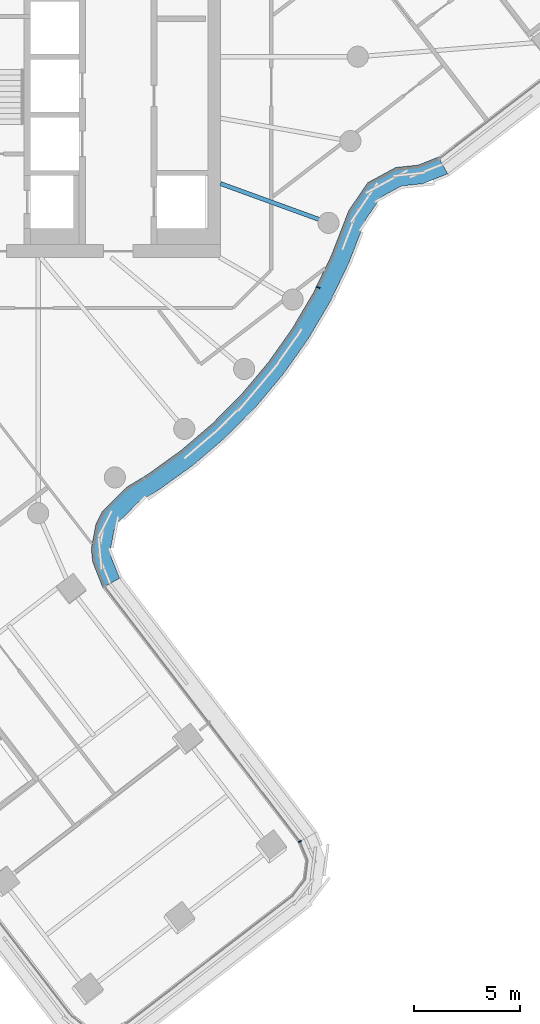
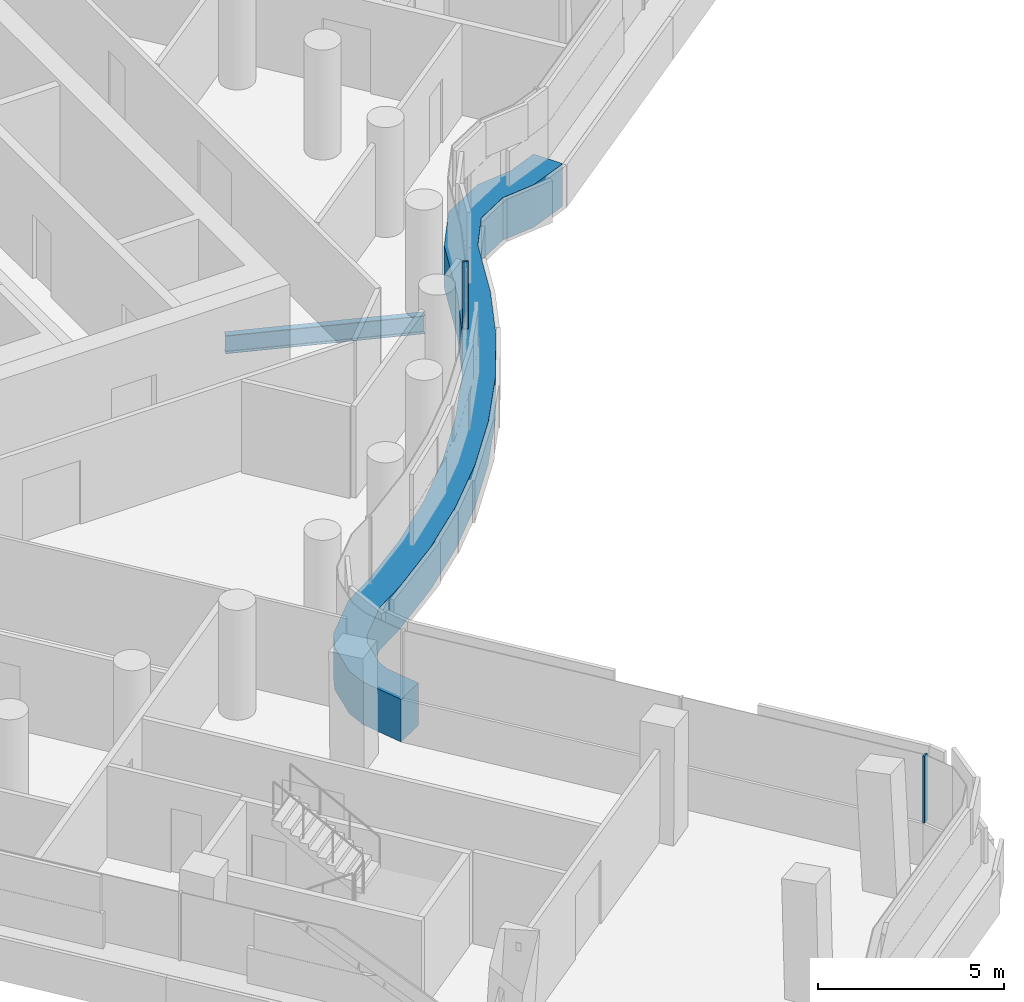
# One storey, part 11 of 33: 3 members, 1 beam, 2 elements without a shape of their own.
"""IFC4 building model written with IfcOpenShell, lengths in metres."""

from ifc_helpers import new_model, si_unit, direction, frame, origin, origin_2d, place, context, subcontext, project, spatial, polyline, rectangle, i_section, outline, extrude, material, layer, layer_set, material_profile, profile_set, type_object, element, aggregate, save


model = new_model("IFC4")

# Units and contexts
model_context = context("Model", 3, precision=1e-05, world=origin(), true_north=direction((0.0, 1.0)))
body_context = subcontext(model_context, "Body", "Model", "MODEL_VIEW")
ifc_project = project(units=[si_unit("LENGTHUNIT", "METRE"), si_unit("AREAUNIT", "SQUARE_METRE"), si_unit("VOLUMEUNIT", "CUBIC_METRE"), si_unit("PLANEANGLEUNIT", "RADIAN"), si_unit("MASSUNIT", "GRAM", prefix="KILO")], contexts=[model_context])

# Site, building, storey
site_placement = place(None, origin())
site = spatial("IfcSite", under=ifc_project, at=site_placement, CompositionType="ELEMENT")
building_placement = place(site_placement, origin())
building = spatial("IfcBuilding", under=site, at=building_placement, Name="Tamarind Cross Interchange Tower", CompositionType="ELEMENT")
storey_placement = place(building_placement, frame((0.0, 0.0, 170.5)))
storey = spatial("IfcBuildingStorey", under=building, at=storey_placement, Name="L42", CompositionType="ELEMENT", Elevation=170.5)

# Beam
ifc_material_1 = material(Name="Steel Q355B", Category="steel")
ifc_material_profile_1 = material_profile(ifc_material_1, i_section(OverallWidth=0.198974609375, OverallDepth=0.595947265625, WebThickness=0.010009765625, FlangeThickness=0.014892578125, FilletRadius=0.012939453125, at=origin_2d()), Name="HN 596x199x10x15")
ifc_profile_set_1 = profile_set([ifc_material_profile_1], Name="Steel Q355B")
beam_type = type_object("IfcBeamType", Name="Composite beam HN 596x199x10x15 Q355B", PredefinedType="BEAM", material=ifc_profile_set_1)
beam_placement = place(storey_placement, frame((21.613037109375, -7.866455078125, -0.43798828125), z_axis=(-0.939701685589, 0.341995236956, 0.0), x_axis=(-0.341995236956, -0.939701685589, 0.0)))
element("IfcBeam", 1, at=beam_placement, inside=storey, type_object=beam_type, Name="Beam HH34", PredefinedType="BEAM", context=body_context, shape_type="SweptSolid", body=[
    extrude(i_section(OverallWidth=0.198974609375, OverallDepth=0.595947265625, WebThickness=0.010009765625, FlangeThickness=0.014892578125, FilletRadius=0.012939453125, at=origin_2d()), origin(), (0.0, 0.0, 1.0), 5.441162109375),
])

# Curtain wall, member
ifc_material_2 = material(Name="Aluminium 6063-T6", Category="aluminium")
ifc_layer = layer(ifc_material_2, 0.159912109375)
ifc_layer_set = layer_set([ifc_layer], Name="Aluminium 6063-T6")
curtain_wall_type = type_object("IfcCurtainWallType", Name="Office curtain wall, 9.0 m bays", PredefinedType="NOTDEFINED", material=ifc_layer_set)
curtain_wall_1_placement = place(storey_placement, origin())
curtain_wall_1 = element("IfcCurtainWall", 2, at=curtain_wall_1_placement, inside=storey, type_object=curtain_wall_type, Name="CWS-L42-14", PredefinedType="NOTDEFINED")
ifc_material_3 = material(Name="Aluminium and insulated spandrel panel", Category="aluminium")
member_type_1 = type_object("IfcMemberType", Name="Floor-edge blade transom", PredefinedType="USERDEFINED", material=ifc_material_3)
member_1_placement = place(storey_placement, origin())
member_1 = element("IfcMember", 3, at=member_1_placement, type_object=member_type_1, Name="CWT-L42-14", ObjectType="TRANSOM", PredefinedType="USERDEFINED", context=body_context, shape_type="SweptSolid", body=[
    extrude(outline(polyline([(10.9267578125, -25.139892578125), (10.440673828125, -23.904296875), (10.382080078125, -23.27734375), (10.604248046875, -22.112548828125), (10.891357421875, -21.547607421875), (12.0166015625, -20.404541015625), (13.045166015625, -19.781494140625), (14.634521484375, -18.636474609375), (16.12353515625, -17.3642578125), (17.50244140625, -15.973388671875), (18.76171875, -14.4736328125), (19.892822265625, -12.874755859375), (20.88818359375, -11.188232421875), (21.74072265625, -9.424560546875), (22.569091796875, -7.288818359375), (23.468017578125, -5.9638671875), (24.792724609375, -5.24267578125), (25.8759765625, -5.12744140625), (26.8076171875, -4.75390625), (27.25830078125, -5.542724609375), (26.09521484375, -6.009033203125), (25.06591796875, -6.11865234375), (24.090087890625, -6.64990234375), (23.371337890625, -7.70947265625), (22.56689453125, -9.783935546875), (21.68212890625, -11.613525390625), (20.64892578125, -13.3642578125), (19.474853515625, -15.023681640625), (18.167724609375, -16.580810546875), (16.736572265625, -18.0244140625), (15.19091796875, -19.344970703125), (13.542236328125, -20.53271484375), (12.5791015625, -21.1162109375), (11.63037109375, -22.079833984375), (11.46435546875, -22.40673828125), (11.2900390625, -23.320556640625), (11.324951171875, -23.693603515625), (11.718017578125, -24.69287109375), (10.9267578125, -25.139892578125)])), origin(), (0.0, 0.0, 1.0), 1.39990234375),
])

curtain_wall_2_placement = place(storey_placement, origin())
curtain_wall_2 = element("IfcCurtainWall", 4, at=curtain_wall_2_placement, inside=storey, type_object=curtain_wall_type, Name="CWS-L42-13", PredefinedType="NOTDEFINED")
ifc_material_profile_2 = material_profile(ifc_material_2, rectangle(XDim=0.06005859375, YDim=0.159912109375, at=origin_2d()), Name="Mullion CW1")
ifc_profile_set_2 = profile_set([ifc_material_profile_2], Name="Aluminium 6063-T6")
member_type_2 = type_object("IfcMemberType", Name="Mullion CW1", PredefinedType="MULLION", material=ifc_profile_set_2)
member_2_placement = place(storey_placement, frame((20.26025390625, -37.154541015625, 1.39990234375), z_axis=(0.0, 0.0, 1.0), x_axis=(-0.500587820767, 0.86568575921, 0.0)))
member_2 = element("IfcMember", 5, at=member_2_placement, type_object=member_type_2, Name="CWM-L42-13-00", PredefinedType="MULLION", context=body_context, shape_type="SweptSolid", body=[
    extrude(rectangle(XDim=0.06005859375, YDim=0.159912109375, at=origin_2d()), origin(), (0.0, 0.0, 1.0), 2.210205078125),
])
aggregate(curtain_wall_2, [member_2])

# Member
member_3_placement = place(storey_placement, frame((21.126953125, -10.923828125, 1.39990234375), z_axis=(0.0, 0.0, 1.0), x_axis=(0.435326231914, 0.900272776334, 0.0)))
member_3 = element("IfcMember", 6, at=member_3_placement, type_object=member_type_2, Name="CWM-L42-14-02", PredefinedType="MULLION", context=body_context, shape_type="SweptSolid", body=[
    extrude(rectangle(XDim=0.06005859375, YDim=0.159912109375, at=origin_2d()), origin(), (0.0, 0.0, 1.0), 2.210205078125),
])

aggregate(curtain_wall_1, [member_3, member_1])

save(model, "model.ifc")
